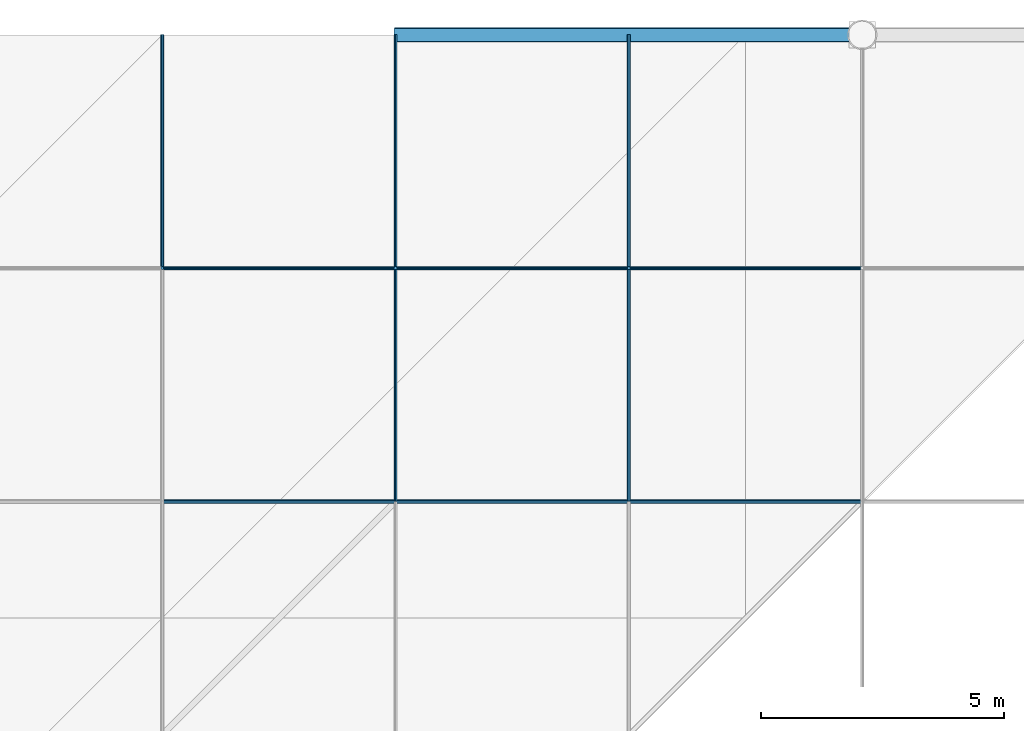
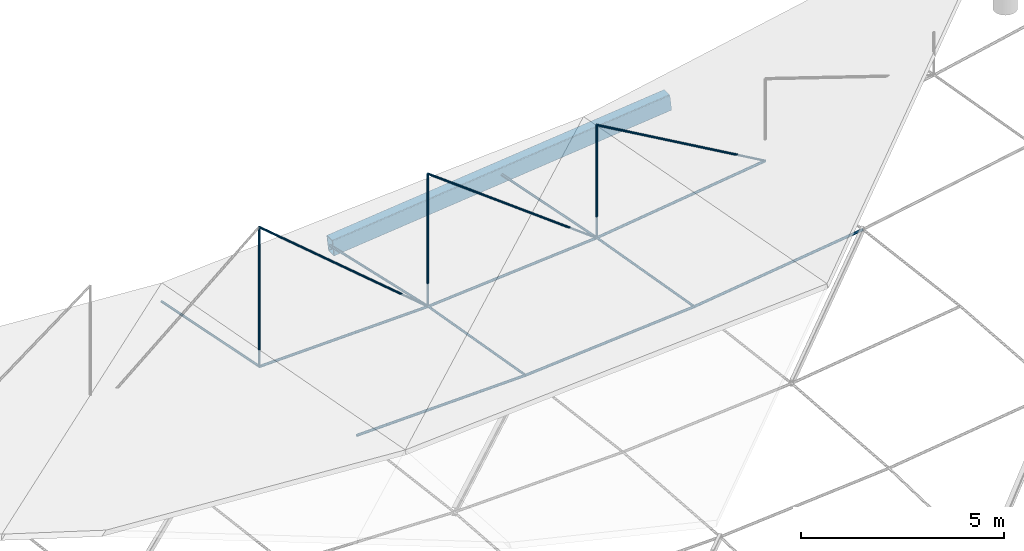
# One storey, part 24 of 40: 17 members, 1 beam.
"""IFC4 building model written with IfcOpenShell, lengths in metres."""

from ifc_helpers import new_model, si_unit, direction, frame, origin, origin_2d, place, context, subcontext, project, spatial, hollow_rectangle, circle, extrude, material, material_profile, profile_set, type_object, element, save


model = new_model("IFC4")

# Units and contexts
model_context = context("Model", 3, precision=1e-05, world=origin(), true_north=direction((0.0, 1.0)))
body_context = subcontext(model_context, "Body", "Model", "MODEL_VIEW")
ifc_project = project(units=[si_unit("LENGTHUNIT", "METRE"), si_unit("AREAUNIT", "SQUARE_METRE"), si_unit("VOLUMEUNIT", "CUBIC_METRE"), si_unit("PLANEANGLEUNIT", "RADIAN"), si_unit("MASSUNIT", "GRAM", prefix="KILO")], contexts=[model_context])

# Site, building, storey
site_placement = place(None, origin())
site = spatial("IfcSite", under=ifc_project, at=site_placement, CompositionType="ELEMENT")
building_placement = place(site_placement, origin())
building = spatial("IfcBuilding", under=site, at=building_placement, Name="Zevrakil Square Congress Hotel", CompositionType="ELEMENT")
storey_placement = place(building_placement, frame((0.0, 0.0, 18.10009765625)))
storey = spatial("IfcBuildingStorey", under=building, at=storey_placement, Name="L05", CompositionType="ELEMENT", Elevation=18.10009765625)

# Members
ifc_material_1 = material(Name="Steel S355", Category="steel")
ifc_material_profile_1 = material_profile(ifc_material_1, circle(Radius=0.030029296875, at=origin_2d()), Name="CABLE RD60")
ifc_profile_set_1 = profile_set([ifc_material_profile_1], Name="Steel S355")
member_type_1 = type_object("IfcMemberType", Name="MEM-CABLE-RD60", PredefinedType="USERDEFINED", material=ifc_profile_set_1)
member_1_placement = place(storey_placement, frame((141.60009765625, 108.0, 0.52978515625), z_axis=(0.0, 0.0, 1.0), x_axis=(1.0, 0.0, 0.0)))
element("IfcMember", 1, at=member_1_placement, inside=storey, type_object=member_type_1, Name="Congress cable-truss vertical tie CBW-09-5", ObjectType="ROOF CABLE", PredefinedType="USERDEFINED", context=body_context, shape_type="SweptSolid", body=[
    extrude(circle(Radius=0.030029296875, at=origin_2d()), origin(), (0.0, 0.0, 1.0), 4.2001953125),
])
member_2_placement = place(storey_placement, frame((146.39990234375, 108.0, 0.657958984375), z_axis=(-0.762551461839, 0.0, 0.646927560123), x_axis=(0.0, -1.0, 0.0)))
element("IfcMember", 2, at=member_2_placement, inside=storey, type_object=member_type_1, Name="Congress cable-truss web diagonal CBD-09-6", ObjectType="ROOF CABLE", PredefinedType="USERDEFINED", context=body_context, shape_type="SweptSolid", body=[
    extrude(circle(Radius=0.030029296875, at=origin_2d()), origin(), (0.0, 0.0, 1.0), 6.29443359375),
])
member_3_placement = place(storey_placement, frame((146.39990234375, 108.0, 0.657958984375), z_axis=(0.0, 0.0, 1.0), x_axis=(1.0, 0.0, 0.0)))
element("IfcMember", 3, at=member_3_placement, inside=storey, type_object=member_type_1, Name="Congress cable-truss vertical tie CBW-09-6", ObjectType="ROOF CABLE", PredefinedType="USERDEFINED", context=body_context, shape_type="SweptSolid", body=[
    extrude(circle(Radius=0.030029296875, at=origin_2d()), origin(), (0.0, 0.0, 1.0), 3.994384765625),
])
member_4_placement = place(storey_placement, frame((151.199951171875, 108.0, 1.0419921875), z_axis=(-0.799174909116, 0.0, 0.601098548192), x_axis=(0.0, -1.0, 0.0)))
element("IfcMember", 4, at=member_4_placement, inside=storey, type_object=member_type_1, Name="Congress cable-truss web diagonal CBD-09-7", ObjectType="ROOF CABLE", PredefinedType="USERDEFINED", context=body_context, shape_type="SweptSolid", body=[
    extrude(circle(Radius=0.030029296875, at=origin_2d()), origin(), (0.0, 0.0, 1.0), 6.00634765625),
])
member_5_placement = place(storey_placement, frame((151.199951171875, 108.0, 1.0419921875), z_axis=(0.0, 0.0, 1.0), x_axis=(1.0, 0.0, 0.0)))
element("IfcMember", 5, at=member_5_placement, inside=storey, type_object=member_type_1, Name="Congress cable-truss vertical tie CBW-09-7", ObjectType="ROOF CABLE", PredefinedType="USERDEFINED", context=body_context, shape_type="SweptSolid", body=[
    extrude(circle(Radius=0.030029296875, at=origin_2d()), origin(), (0.0, 0.0, 1.0), 3.397705078125),
])
member_6_placement = place(storey_placement, frame((156.0, 108.0, 1.681884765625), z_axis=(-0.867079197454, 0.0, 0.498170317605), x_axis=(0.0, -1.0, 0.0)))
element("IfcMember", 6, at=member_6_placement, inside=storey, type_object=member_type_1, Name="Congress cable-truss web diagonal CBD-09-8", ObjectType="ROOF CABLE", PredefinedType="USERDEFINED", context=body_context, shape_type="SweptSolid", body=[
    extrude(circle(Radius=0.030029296875, at=origin_2d()), origin(), (0.0, 0.0, 1.0), 5.535888671875),
])
ifc_material_2 = material(Name="Steel S355", Category="steel")
ifc_material_profile_2 = material_profile(ifc_material_2, circle(Radius=0.033935546875, at=origin_2d()), Name="CABLE RD68")
ifc_profile_set_2 = profile_set([ifc_material_profile_2], Name="Steel S355")
member_type_2 = type_object("IfcMemberType", Name="MEM-CABLE-RD68", PredefinedType="USERDEFINED", material=ifc_profile_set_2)
member_7_placement = place(storey_placement, frame((141.60009765625, 108.0, 0.539794921875), z_axis=(0.0, 0.980505798462, -0.196490150345), x_axis=(-1.0, 0.0, 0.0)))
element("IfcMember", 7, at=member_7_placement, inside=storey, type_object=member_type_2, Name="Congress saddle stabilizing cable CBH-05 seg 10", ObjectType="ROOF CABLE", PredefinedType="USERDEFINED", context=body_context, shape_type="SweptSolid", body=[
    extrude(circle(Radius=0.033935546875, at=origin_2d()), origin(), (0.0, 0.0, 1.0), 4.8955078125),
])
member_8_placement = place(storey_placement, frame((146.39990234375, 103.199951171875, 1.5078125), z_axis=(0.0, 0.985036208934, -0.172347518373), x_axis=(-1.0, 0.0, 0.0)))
element("IfcMember", 8, at=member_8_placement, inside=storey, type_object=member_type_2, Name="Congress saddle stabilizing cable CBH-06 seg 9", ObjectType="ROOF CABLE", PredefinedType="USERDEFINED", context=body_context, shape_type="SweptSolid", body=[
    extrude(circle(Radius=0.033935546875, at=origin_2d()), origin(), (0.0, 0.0, 1.0), 4.873046875),
])
member_9_placement = place(storey_placement, frame((146.39990234375, 108.0, 0.66796875), z_axis=(0.0, 0.975169384168, -0.221460317395), x_axis=(-1.0, 0.0, 0.0)))
element("IfcMember", 9, at=member_9_placement, inside=storey, type_object=member_type_2, Name="Congress saddle stabilizing cable CBH-06 seg 10", ObjectType="ROOF CABLE", PredefinedType="USERDEFINED", context=body_context, shape_type="SweptSolid", body=[
    extrude(circle(Radius=0.033935546875, at=origin_2d()), origin(), (0.0, 0.0, 1.0), 4.92236328125),
])
member_10_placement = place(storey_placement, frame((151.199951171875, 103.199951171875, 1.891845703125), z_axis=(0.0, 0.985036208934, -0.172347518373), x_axis=(-1.0, 0.0, 0.0)))
element("IfcMember", 10, at=member_10_placement, inside=storey, type_object=member_type_2, Name="Congress saddle stabilizing cable CBH-07 seg 9", ObjectType="ROOF CABLE", PredefinedType="USERDEFINED", context=body_context, shape_type="SweptSolid", body=[
    extrude(circle(Radius=0.033935546875, at=origin_2d()), origin(), (0.0, 0.0, 1.0), 4.873046875),
])
member_11_placement = place(storey_placement, frame((151.199951171875, 108.0, 1.052001953125), z_axis=(0.0, 0.980496189328, -0.196538094814), x_axis=(-1.0, 0.0, 0.0)))
element("IfcMember", 11, at=member_11_placement, inside=storey, type_object=member_type_2, Name="Congress saddle stabilizing cable CBH-07 seg 10", ObjectType="ROOF CABLE", PredefinedType="USERDEFINED", context=body_context, shape_type="SweptSolid", body=[
    extrude(circle(Radius=0.033935546875, at=origin_2d()), origin(), (0.0, 0.0, 1.0), 4.8955078125),
])
ifc_material_3 = material(Name="Steel S355", Category="steel")
ifc_material_profile_3 = material_profile(ifc_material_3, circle(Radius=0.0380859375, at=origin_2d()), Name="CABLE RD76")
ifc_profile_set_3 = profile_set([ifc_material_profile_3], Name="Steel S355")
member_type_3 = type_object("IfcMemberType", Name="MEM-CABLE-RD76", PredefinedType="USERDEFINED", material=ifc_profile_set_3)
member_12_placement = place(storey_placement, frame((141.60009765625, 103.199951171875, 1.369873046875), z_axis=(0.999644995189, 0.0, 0.026643640767), x_axis=(0.0, 1.0, 0.0)))
element("IfcMember", 12, at=member_12_placement, inside=storey, type_object=member_type_3, Name="Congress saddle carrying cable CBS-08 seg 6", ObjectType="ROOF CABLE", PredefinedType="USERDEFINED", context=body_context, shape_type="SweptSolid", body=[
    extrude(circle(Radius=0.0380859375, at=origin_2d()), origin(), (0.0, 0.0, 1.0), 4.801513671875),
])
member_13_placement = place(storey_placement, frame((146.39990234375, 103.199951171875, 1.497802734375), z_axis=(0.996814794892, 0.0, 0.079751267604), x_axis=(0.0, 1.0, 0.0)))
element("IfcMember", 13, at=member_13_placement, inside=storey, type_object=member_type_3, Name="Congress saddle carrying cable CBS-08 seg 7", ObjectType="ROOF CABLE", PredefinedType="USERDEFINED", context=body_context, shape_type="SweptSolid", body=[
    extrude(circle(Radius=0.0380859375, at=origin_2d()), origin(), (0.0, 0.0, 1.0), 4.8154296875),
])
member_14_placement = place(storey_placement, frame((151.199951171875, 103.199951171875, 1.8818359375), z_axis=(0.991224377832, 0.0, 0.132190138786), x_axis=(0.0, 1.0, 0.0)))
element("IfcMember", 14, at=member_14_placement, inside=storey, type_object=member_type_3, Name="Congress saddle carrying cable CBS-08 seg 8", ObjectType="ROOF CABLE", PredefinedType="USERDEFINED", context=body_context, shape_type="SweptSolid", body=[
    extrude(circle(Radius=0.0380859375, at=origin_2d()), origin(), (0.0, 0.0, 1.0), 4.842529296875),
])
member_15_placement = place(storey_placement, frame((141.60009765625, 108.0, 0.52978515625), z_axis=(0.999643639641, 0.0, 0.026694451211), x_axis=(0.0, 1.0, 0.0)))
element("IfcMember", 15, at=member_15_placement, inside=storey, type_object=member_type_3, Name="Congress saddle carrying cable CBS-09 seg 6", ObjectType="ROOF CABLE", PredefinedType="USERDEFINED", context=body_context, shape_type="SweptSolid", body=[
    extrude(circle(Radius=0.0380859375, at=origin_2d()), origin(), (0.0, 0.0, 1.0), 4.801513671875),
])
member_16_placement = place(storey_placement, frame((146.39990234375, 108.0, 0.657958984375), z_axis=(0.996814794892, 0.0, 0.079751267604), x_axis=(0.0, 1.0, 0.0)))
element("IfcMember", 16, at=member_16_placement, inside=storey, type_object=member_type_3, Name="Congress saddle carrying cable CBS-09 seg 7", ObjectType="ROOF CABLE", PredefinedType="USERDEFINED", context=body_context, shape_type="SweptSolid", body=[
    extrude(circle(Radius=0.0380859375, at=origin_2d()), origin(), (0.0, 0.0, 1.0), 4.8154296875),
])
member_17_placement = place(storey_placement, frame((151.199951171875, 108.0, 1.0419921875), z_axis=(0.99123098262, 0.0, 0.132140603502), x_axis=(0.0, 1.0, 0.0)))
element("IfcMember", 17, at=member_17_placement, inside=storey, type_object=member_type_3, Name="Congress saddle carrying cable CBS-09 seg 8", ObjectType="ROOF CABLE", PredefinedType="USERDEFINED", context=body_context, shape_type="SweptSolid", body=[
    extrude(circle(Radius=0.0380859375, at=origin_2d()), origin(), (0.0, 0.0, 1.0), 4.842529296875),
])

# Beam
ifc_material_4 = material(Name="Steel S355", Category="steel")
ifc_material_profile_4 = material_profile(ifc_material_4, hollow_rectangle(XDim=0.300048828125, YDim=0.5, WallThickness=0.02001953125, InnerFilletRadius=0.02001953125, OuterFilletRadius=0.0400390625, at=origin_2d()), Name="RHS 500x300x20")
ifc_profile_set_4 = profile_set([ifc_material_profile_4], Name="Steel S355")
beam_type = type_object("IfcBeamType", Name="RNG-RHS500", PredefinedType="USERDEFINED", material=ifc_profile_set_4)
beam_placement = place(storey_placement, frame((156.0, 112.800048828125, 0.601806640625), z_axis=(-0.994360125075, 0.0, -0.10605631363), x_axis=(0.0, -1.0, 0.0)))
element("IfcBeam", 18, at=beam_placement, inside=storey, type_object=beam_type, Name="Congress Hall compression ring beam RB-12", ObjectType="RING BEAM", PredefinedType="USERDEFINED", context=body_context, shape_type="SweptSolid", body=[
    extrude(hollow_rectangle(XDim=0.300048828125, YDim=0.5, WallThickness=0.02001953125, InnerFilletRadius=0.02001953125, OuterFilletRadius=0.0400390625, at=origin_2d()), origin(), (0.0, 0.0, 1.0), 9.654541015625),
])

save(model, "model.ifc")
